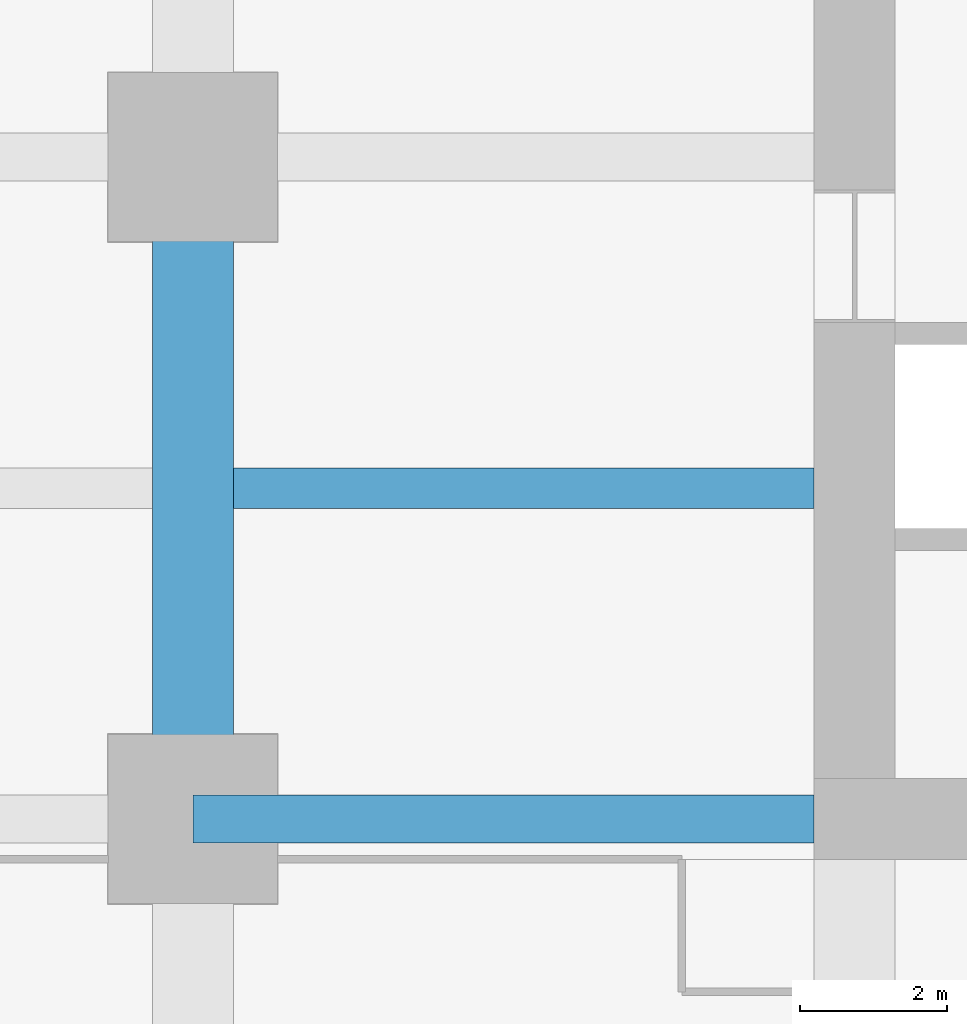
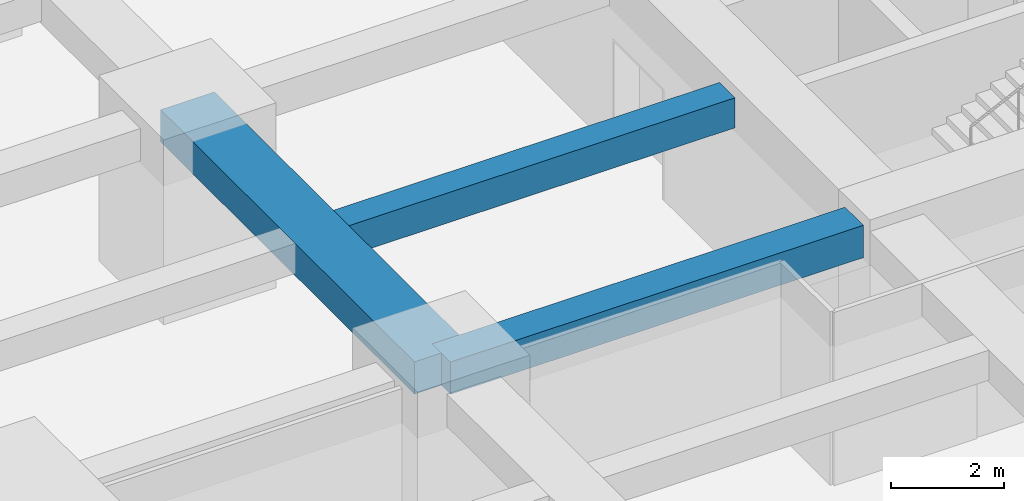
# One storey, part 10 of 50: 3 beams.
"""IFC4 building model written with IfcOpenShell, lengths in metres."""

from ifc_helpers import new_model, si_unit, direction, frame, origin, origin_2d, place, context, subcontext, project, spatial, rectangle, extrude, material, material_profile, profile_set, type_object, element, save


model = new_model("IFC4")

# Units and contexts
model_context = context("Model", 3, precision=1e-05, world=origin(), true_north=direction((0.0, 1.0)))
body_context = subcontext(model_context, "Body", "Model", "MODEL_VIEW")
ifc_project = project(units=[si_unit("LENGTHUNIT", "METRE"), si_unit("AREAUNIT", "SQUARE_METRE"), si_unit("VOLUMEUNIT", "CUBIC_METRE"), si_unit("PLANEANGLEUNIT", "RADIAN"), si_unit("MASSUNIT", "GRAM", prefix="KILO")], contexts=[model_context])

# Site, building, storey
site_placement = place(None, origin())
site = spatial("IfcSite", under=ifc_project, at=site_placement, CompositionType="ELEMENT")
building_placement = place(site_placement, origin())
building = spatial("IfcBuilding", under=site, at=building_placement, Name="Zorevar Civic Tower", CompositionType="ELEMENT")
storey_placement = place(building_placement, frame((0.0, 0.0, 85.0)))
storey = spatial("IfcBuildingStorey", under=building, at=storey_placement, Name="L20", CompositionType="ELEMENT", Elevation=85.0)

# Beams
ifc_material_1 = material(Name="Concrete C50/60", Category="concrete")
ifc_material_profile_1 = material_profile(ifc_material_1, rectangle(XDim=1.10009765625, YDim=0.699951171875, at=origin_2d()), Name="RC 1100x700")
ifc_profile_set_1 = profile_set([ifc_material_profile_1], Name="Concrete C50/60")
beam_type_1 = type_object("IfcBeamType", Name="Beam RC 1100x700", PredefinedType="BEAM", material=ifc_profile_set_1)
beam_1_placement = place(storey_placement, frame((9.0, 18.0, 3.39990234375), z_axis=(0.0, 1.0, 0.0), x_axis=(-1.0, 0.0, 0.0)))
element("IfcBeam", 1, at=beam_1_placement, inside=storey, type_object=beam_type_1, Name="Girder L21", PredefinedType="BEAM", context=body_context, shape_type="SweptSolid", body=[
    extrude(rectangle(XDim=1.10009765625, YDim=0.699951171875, at=origin_2d()), origin(), (0.0, 0.0, 1.0), 9.0),
])
ifc_material_2 = material(Name="Concrete C50/60", Category="concrete")
ifc_material_profile_2 = material_profile(ifc_material_2, rectangle(XDim=0.550048828125, YDim=0.64990234375, at=origin_2d()), Name="RC 550x650")
ifc_profile_set_2 = profile_set([ifc_material_profile_2], Name="Concrete C50/60")
beam_type_2 = type_object("IfcBeamType", Name="Beam RC 550x650", PredefinedType="BEAM", material=ifc_profile_set_2)
beam_2_placement = place(storey_placement, frame((9.550048828125, 22.5, 3.425048828125), z_axis=(1.0, 0.0, 0.0), x_axis=(0.0, 1.0, 0.0)))
element("IfcBeam", 2, at=beam_2_placement, inside=storey, type_object=beam_type_2, Name="Secondary beam L21", PredefinedType="BEAM", context=body_context, shape_type="SweptSolid", body=[
    extrude(rectangle(XDim=0.550048828125, YDim=0.64990234375, at=origin_2d()), origin(), (0.0, 0.0, 1.0), 7.89990234375),
])
ifc_material_3 = material(Name="Concrete C50/60", Category="concrete")
ifc_material_profile_3 = material_profile(ifc_material_3, rectangle(XDim=0.64990234375, YDim=0.699951171875, at=origin_2d()), Name="RC 650x700")
ifc_profile_set_3 = profile_set([ifc_material_profile_3], Name="Concrete C50/60")
beam_type_3 = type_object("IfcBeamType", Name="Beam RC 650x700", PredefinedType="BEAM", material=ifc_profile_set_3)
beam_3_placement = place(storey_placement, frame((9.0, 18.0, 3.39990234375), z_axis=(1.0, 0.0, 0.0), x_axis=(0.0, 1.0, 0.0)))
element("IfcBeam", 3, at=beam_3_placement, inside=storey, type_object=beam_type_3, Name="Girder L21", PredefinedType="BEAM", context=body_context, shape_type="SweptSolid", body=[
    extrude(rectangle(XDim=0.64990234375, YDim=0.699951171875, at=origin_2d()), origin(), (0.0, 0.0, 1.0), 8.449951171875),
])

save(model, "model.ifc")
